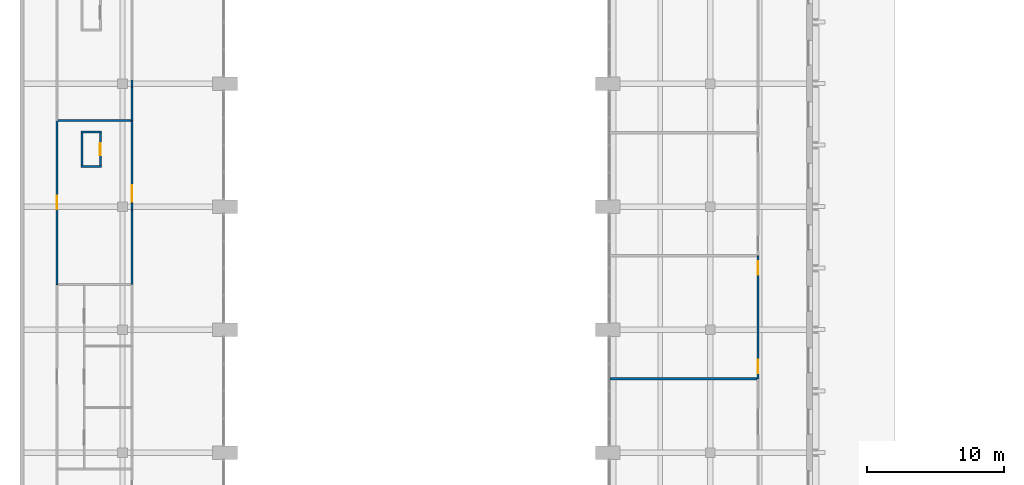
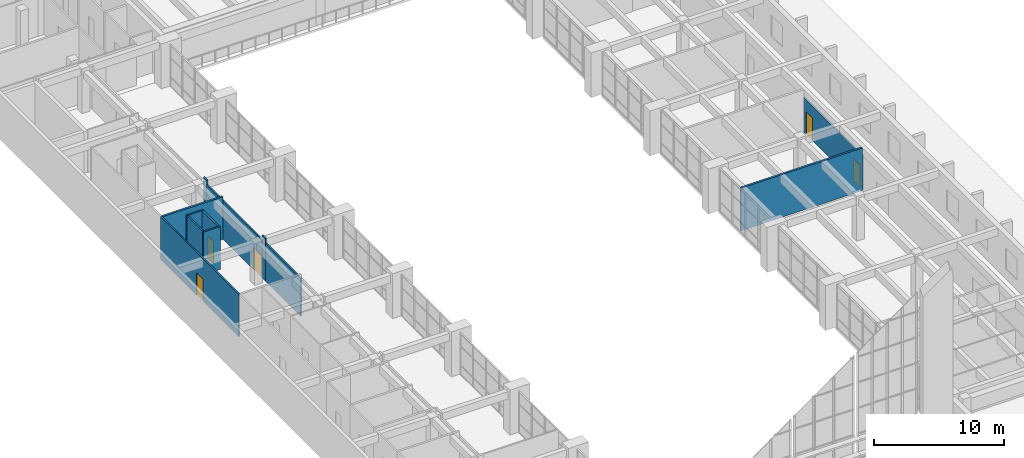
# One storey, part 29 of 45: 13 walls, 5 doors, 5 openings.
"""IFC4 building model written with IfcOpenShell, lengths in metres."""

from ifc_helpers import new_model, si_unit, direction, frame, frame_2d, origin, place, context, subcontext, project, spatial, rectangle, extrude, material, layer, layer_set, type_object, element, fill, save


model = new_model("IFC4")

# Units and contexts
model_context = context("Model", 3, precision=1e-05, world=origin(), true_north=direction((0.0, 1.0)))
body_context = subcontext(model_context, "Body", "Model", "MODEL_VIEW")
ifc_project = project(units=[si_unit("LENGTHUNIT", "METRE"), si_unit("AREAUNIT", "SQUARE_METRE"), si_unit("VOLUMEUNIT", "CUBIC_METRE"), si_unit("PLANEANGLEUNIT", "RADIAN"), si_unit("MASSUNIT", "GRAM", prefix="KILO")], contexts=[model_context])

# Site, building, storey
site_placement = place(None, origin())
site = spatial("IfcSite", under=ifc_project, at=site_placement, CompositionType="ELEMENT")
building_placement = place(site_placement, origin())
building = spatial("IfcBuilding", under=site, at=building_placement, Name="Elmora Arch Market Hall", CompositionType="ELEMENT")
storey_placement = place(building_placement, frame((0.0, 0.0, 6.0)))
storey = spatial("IfcBuildingStorey", under=building, at=storey_placement, Name="L01", CompositionType="ELEMENT", Elevation=6.0)

# Walls
ifc_material_1 = material(Name="Blockwork", Category="masonry")
ifc_layer_1 = layer(ifc_material_1, 0.14990234375)
ifc_layer_set_1 = layer_set([ifc_layer_1], Name="Blockwork")
wall_type_1 = type_object("IfcWallType", Name="Blockwork partition 150 EI 120", PredefinedType="PARTITIONING", material=ifc_layer_set_1)
wall_1_placement = place(storey_placement, frame((4.449951171875, 74.925048828125, 0.0), z_axis=(0.0, 0.0, 1.0), x_axis=(1.0, 0.0, 0.0)))
element("IfcWall", 1, at=wall_1_placement, inside=storey, type_object=wall_type_1, Name="Riser wall L01 05", PredefinedType="PARTITIONING", context=body_context, shape_type="SweptSolid", body=[
    extrude(rectangle(XDim=1.5, YDim=0.14990234375, at=frame_2d((0.75, 0.0))), origin(), (0.0, 0.0, 1.0), 4.0),
])
wall_2_placement = place(storey_placement, frame((4.52490234375, 75.0, 0.0), z_axis=(0.0, 0.0, 1.0), x_axis=(0.0, 1.0, 0.0)))
element("IfcWall", 2, at=wall_2_placement, inside=storey, type_object=wall_type_1, Name="Riser wall L01 06", PredefinedType="PARTITIONING", context=body_context, shape_type="SweptSolid", body=[
    extrude(rectangle(XDim=2.39990234375, YDim=0.14990234375, at=frame_2d((1.199951171875, 0.0))), origin(), (0.0, 0.0, 1.0), 4.0),
])
wall_3_placement = place(storey_placement, frame((4.449951171875, 77.47509765625, 0.0), z_axis=(0.0, 0.0, 1.0), x_axis=(1.0, 0.0, 0.0)))
element("IfcWall", 3, at=wall_3_placement, inside=storey, type_object=wall_type_1, Name="Riser wall L01 07", PredefinedType="PARTITIONING", context=body_context, shape_type="SweptSolid", body=[
    extrude(rectangle(XDim=1.5, YDim=0.14990234375, at=frame_2d((0.75, 0.0))), origin(), (0.0, 0.0, 1.0), 4.0),
])

# Wall, opening, door
wall_4_placement = place(storey_placement, frame((5.875, 75.0, 0.0), z_axis=(0.0, 0.0, 1.0), x_axis=(0.0, 1.0, 0.0)))
wall_4 = element("IfcWall", 4, at=wall_4_placement, inside=storey, type_object=wall_type_1, Name="Riser wall L01 12", PredefinedType="PARTITIONING", context=body_context, shape_type="SweptSolid", body=[
    extrude(rectangle(XDim=2.39990234375, YDim=0.14990234375, at=frame_2d((1.199951171875, 0.0))), origin(), (0.0, 0.0, 1.0), 4.0),
])
opening_1_placement = place(wall_4_placement, frame((0.75, 0.0, 0.0)))
opening_1 = element("IfcOpeningElement", 5, at=opening_1_placement, cuts=wall_4, Name="Opening D-L01-031", PredefinedType="OPENING", context=body_context, shape_type="SweptSolid", body=[
    extrude(rectangle(XDim=0.89990234375, YDim=2.10009765625, at=frame_2d((0.449951171875, 1.050048828125))), frame((0.0, 0.0849609375, 0.0), z_axis=(0.0, -1.0, 0.0), x_axis=(1.0, 0.0, 0.0)), (0.0, 0.0, 1.0), 0.169921875),
])
ifc_material_2 = material(Name="Steel ASTM A653 galvanised", Category="steel")
door_type_1 = type_object("IfcDoorType", Name="Door 900 x 2100 FD90", OperationType="SINGLE_SWING_LEFT", PredefinedType="DOOR", material=ifc_material_2)
door_1_placement = place(opening_1_placement, origin())
door_1 = element("IfcDoor", 6, at=door_1_placement, inside=storey, type_object=door_type_1, Name="Riser access door D-L01-031", OperationType="SINGLE_SWING_LEFT", OverallHeight=2.10009765625, OverallWidth=0.89990234375, PredefinedType="DOOR", context=body_context, shape_type="SweptSolid", body=[
    extrude(rectangle(XDim=0.89990234375, YDim=2.10009765625, at=frame_2d((0.449951171875, 1.050048828125))), frame((0.0, 0.02490234375, 0.0), z_axis=(0.0, -1.0, 0.0), x_axis=(1.0, 0.0, 0.0)), (0.0, 0.0, 1.0), 0.050048828125),
])
fill(opening_1, door_1)

ifc_material_3 = material(Name="Gypsum board on metal studs")
ifc_layer_2 = layer(ifc_material_3, 0.125)
ifc_layer_set_2 = layer_set([ifc_layer_2], Name="Gypsum board on metal studs")
wall_type_2 = type_object("IfcWallType", Name="Partition 125 EI 60", PredefinedType="PARTITIONING", material=ifc_layer_set_2)
wall_5_placement = place(storey_placement, frame((2.699951171875, 66.300048828125, 0.0), z_axis=(0.0, 0.0, 1.0), x_axis=(0.0, 1.0, 0.0)))
wall_5 = element("IfcWall", 7, at=wall_5_placement, inside=storey, type_object=wall_type_2, Name="Partition PT-L01-087", PredefinedType="PARTITIONING", context=body_context, shape_type="SweptSolid", body=[
    extrude(rectangle(XDim=12.0, YDim=0.125, at=frame_2d((6.0, 0.0))), origin(), (0.0, 0.0, 1.0), 4.0),
])
opening_2_placement = place(wall_5_placement, frame((5.5, 0.0, 0.0)))
opening_2 = element("IfcOpeningElement", 8, at=opening_2_placement, cuts=wall_5, Name="Opening D-L01-029", PredefinedType="OPENING", context=body_context, shape_type="SweptSolid", body=[
    extrude(rectangle(XDim=1.0, YDim=2.10009765625, at=frame_2d((0.5, 1.050048828125))), frame((0.0, 0.072509765625, 0.0), z_axis=(0.0, -1.0, 0.0), x_axis=(1.0, 0.0, 0.0)), (0.0, 0.0, 1.0), 0.14501953125),
])
ifc_material_4 = material(Name="Steel ASTM A653 galvanised", Category="steel")
door_type_2 = type_object("IfcDoorType", Name="Door 1000 x 2100 FD45", OperationType="SINGLE_SWING_LEFT", PredefinedType="DOOR", material=ifc_material_4)
door_2_placement = place(opening_2_placement, frame((1.0, 0.0, 0.0), z_axis=(0.0, 0.0, 1.0), x_axis=(-1.0, 0.0, 0.0)))
door_2 = element("IfcDoor", 9, at=door_2_placement, inside=storey, type_object=door_type_2, Name="D-L01-029", OperationType="SINGLE_SWING_RIGHT", OverallHeight=2.10009765625, OverallWidth=1.0, PredefinedType="DOOR", context=body_context, shape_type="SweptSolid", body=[
    extrude(rectangle(XDim=1.0, YDim=2.10009765625, at=frame_2d((0.5, 1.050048828125))), frame((0.0, 0.02490234375, 0.0), z_axis=(0.0, -1.0, 0.0), x_axis=(1.0, 0.0, 0.0)), (0.0, 0.0, 1.0), 0.050048828125),
])
fill(opening_2, door_2)

# Walls
wall_6_placement = place(storey_placement, frame((8.199951171875, 66.300048828125, 0.0), z_axis=(0.0, 0.0, 1.0), x_axis=(0.0, 1.0, 0.0)))
element("IfcWall", 10, at=wall_6_placement, inside=storey, type_object=wall_type_2, Name="Partition PT-L01-102", PredefinedType="PARTITIONING", context=body_context, shape_type="SweptSolid", body=[
    extrude(rectangle(XDim=5.436767578125, YDim=0.125, at=frame_2d((2.71826171875, 0.0))), origin(), (0.0, 0.0, 1.0), 3.567138671875),
])
wall_7_placement = place(storey_placement, frame((8.199951171875, 78.300048828125, 0.0), z_axis=(0.0, 0.0, 1.0), x_axis=(0.0, 1.0, 0.0)))
element("IfcWall", 11, at=wall_7_placement, inside=storey, type_object=wall_type_2, Name="Partition PT-L01-103", PredefinedType="PARTITIONING", context=body_context, shape_type="SweptSolid", body=[
    extrude(rectangle(XDim=2.436767578125, YDim=0.125, at=frame_2d((1.21826171875, 0.0))), origin(), (0.0, 0.0, 1.0), 3.567138671875),
])

# Wall, openings, doors
wall_8_placement = place(storey_placement, frame((54.0, 59.39990234375, 0.0), z_axis=(0.0, 0.0, 1.0), x_axis=(0.0, 1.0, 0.0)))
wall_8 = element("IfcWall", 12, at=wall_8_placement, inside=storey, type_object=wall_type_2, Name="Partition PT-L01-133", PredefinedType="PARTITIONING", context=body_context, shape_type="SweptSolid", body=[
    extrude(rectangle(XDim=9.0, YDim=0.125, at=frame_2d((4.5, 0.0))), origin(), (0.0, 0.0, 1.0), 3.25),
])
opening_3_placement = place(wall_8_placement, frame((0.39990234375, 0.0, 0.0)))
opening_3 = element("IfcOpeningElement", 13, at=opening_3_placement, cuts=wall_8, Name="Opening D-L01-025", PredefinedType="OPENING", context=body_context, shape_type="SweptSolid", body=[
    extrude(rectangle(XDim=1.0, YDim=2.10009765625, at=frame_2d((0.5, 1.050048828125))), frame((0.0, 0.072509765625, 0.0), z_axis=(0.0, -1.0, 0.0), x_axis=(1.0, 0.0, 0.0)), (0.0, 0.0, 1.0), 0.14501953125),
])
opening_4_placement = place(wall_8_placement, frame((7.60009765625, 0.0, 0.0)))
opening_4 = element("IfcOpeningElement", 14, at=opening_4_placement, cuts=wall_8, Name="Opening D-L01-027", PredefinedType="OPENING", context=body_context, shape_type="SweptSolid", body=[
    extrude(rectangle(XDim=1.0, YDim=2.10009765625, at=frame_2d((0.5, 1.050048828125))), frame((0.0, 0.072509765625, 0.0), z_axis=(0.0, -1.0, 0.0), x_axis=(1.0, 0.0, 0.0)), (0.0, 0.0, 1.0), 0.14501953125),
])
door_3_placement = place(opening_3_placement, origin())
door_3 = element("IfcDoor", 15, at=door_3_placement, inside=storey, type_object=door_type_2, Name="D-L01-025", OperationType="SINGLE_SWING_LEFT", OverallHeight=2.10009765625, OverallWidth=1.0, PredefinedType="DOOR", context=body_context, shape_type="SweptSolid", body=[
    extrude(rectangle(XDim=1.0, YDim=2.10009765625, at=frame_2d((0.5, 1.050048828125))), frame((0.0, 0.02490234375, 0.0), z_axis=(0.0, -1.0, 0.0), x_axis=(1.0, 0.0, 0.0)), (0.0, 0.0, 1.0), 0.050048828125),
])
fill(opening_3, door_3)
door_4_placement = place(opening_4_placement, origin())
door_4 = element("IfcDoor", 16, at=door_4_placement, inside=storey, type_object=door_type_2, Name="D-L01-027", OperationType="SINGLE_SWING_RIGHT", OverallHeight=2.10009765625, OverallWidth=1.0, PredefinedType="DOOR", context=body_context, shape_type="SweptSolid", body=[
    extrude(rectangle(XDim=1.0, YDim=2.10009765625, at=frame_2d((0.5, 1.050048828125))), frame((0.0, 0.02490234375, 0.0), z_axis=(0.0, -1.0, 0.0), x_axis=(1.0, 0.0, 0.0)), (0.0, 0.0, 1.0), 0.050048828125),
])
fill(opening_4, door_4)

# Wall
wall_9_placement = place(storey_placement, frame((8.199951171875, 71.73681640625, 0.0), z_axis=(0.0, 0.0, 1.0), x_axis=(0.0, 1.0, 0.0)))
element("IfcWall", 17, at=wall_9_placement, inside=storey, type_object=wall_type_2, Name="Partition PT-L01-102.2", PredefinedType="PARTITIONING", context=body_context, shape_type="SweptSolid", body=[
    extrude(rectangle(XDim=0.51318359375, YDim=0.125, at=frame_2d((0.256591796875, 0.0))), origin(), (0.0, 0.0, 1.0), 4.0),
])

# Wall, opening, door
wall_10_placement = place(storey_placement, frame((8.199951171875, 72.25, 0.0), z_axis=(0.0, 0.0, 1.0), x_axis=(0.0, 1.0, 0.0)))
wall_10 = element("IfcWall", 18, at=wall_10_placement, inside=storey, type_object=wall_type_2, Name="Partition PT-L01-102.3", PredefinedType="PARTITIONING", context=body_context, shape_type="SweptSolid", body=[
    extrude(rectangle(XDim=6.050048828125, YDim=0.125, at=frame_2d((3.02490234375, 0.0))), origin(), (0.0, 0.0, 1.0), 3.567138671875),
])
opening_5_placement = place(wall_10_placement, frame((0.10009765625, 0.0, 0.0)))
opening_5 = element("IfcOpeningElement", 19, at=opening_5_placement, cuts=wall_10, Name="Opening D-L01-030", PredefinedType="OPENING", context=body_context, shape_type="SweptSolid", body=[
    extrude(rectangle(XDim=1.199951171875, YDim=2.10009765625, at=frame_2d((0.60009765625, 1.050048828125))), frame((0.0, 0.072509765625, 0.0), z_axis=(0.0, -1.0, 0.0), x_axis=(1.0, 0.0, 0.0)), (0.0, 0.0, 1.0), 0.14501953125),
])
ifc_material_5 = material(Name="Steel ASTM A653 galvanised", Category="steel")
door_type_3 = type_object("IfcDoorType", Name="Door 1200 x 2100 FD45", OperationType="SINGLE_SWING_LEFT", PredefinedType="DOOR", material=ifc_material_5)
door_5_placement = place(opening_5_placement, origin())
door_5 = element("IfcDoor", 20, at=door_5_placement, inside=storey, type_object=door_type_3, Name="D-L01-030", OperationType="SINGLE_SWING_RIGHT", OverallHeight=2.10009765625, OverallWidth=1.199951171875, PredefinedType="DOOR", context=body_context, shape_type="SweptSolid", body=[
    extrude(rectangle(XDim=1.199951171875, YDim=2.10009765625, at=frame_2d((0.60009765625, 1.050048828125))), frame((0.0, 0.02490234375, 0.0), z_axis=(0.0, -1.0, 0.0), x_axis=(1.0, 0.0, 0.0)), (0.0, 0.0, 1.0), 0.050048828125),
])
fill(opening_5, door_5)

# Walls
wall_11_placement = place(storey_placement, frame((8.199951171875, 80.73681640625, 0.0), z_axis=(0.0, 0.0, 1.0), x_axis=(0.0, 1.0, 0.0)))
element("IfcWall", 21, at=wall_11_placement, inside=storey, type_object=wall_type_2, Name="Partition PT-L01-103.2", PredefinedType="PARTITIONING", context=body_context, shape_type="SweptSolid", body=[
    extrude(rectangle(XDim=0.5263671875, YDim=0.125, at=frame_2d((0.26318359375, 0.0))), origin(), (0.0, 0.0, 1.0), 4.0),
])
ifc_material_6 = material(Name="Gypsum board on metal studs")
ifc_layer_3 = layer(ifc_material_6, 0.175048828125)
ifc_layer_set_3 = layer_set([ifc_layer_3], Name="Gypsum board on metal studs")
wall_type_3 = type_object("IfcWallType", Name="Partition 175 EI 60", PredefinedType="PARTITIONING", material=ifc_layer_set_3)
wall_12_placement = place(storey_placement, frame((43.14990234375, 59.39990234375, 0.0), z_axis=(0.0, 0.0, 1.0), x_axis=(1.0, 0.0, 0.0)))
element("IfcWall", 22, at=wall_12_placement, inside=storey, type_object=wall_type_3, Name="Partition PT-L01-019", PredefinedType="PARTITIONING", context=body_context, shape_type="SweptSolid", body=[
    extrude(rectangle(XDim=10.78759765625, YDim=0.175048828125, at=frame_2d((5.393798828125, 0.0))), origin(), (0.0, 0.0, 1.0), 4.0),
])
wall_13_placement = place(storey_placement, frame((2.762451171875, 78.300048828125, 0.0), z_axis=(0.0, 0.0, 1.0), x_axis=(1.0, 0.0, 0.0)))
element("IfcWall", 23, at=wall_13_placement, inside=storey, type_object=wall_type_3, Name="Partition PT-L01-025", PredefinedType="PARTITIONING", context=body_context, shape_type="SweptSolid", body=[
    extrude(rectangle(XDim=5.375, YDim=0.175048828125, at=frame_2d((2.6875, 0.0))), origin(), (0.0, 0.0, 1.0), 4.0),
])

save(model, "model.ifc")
